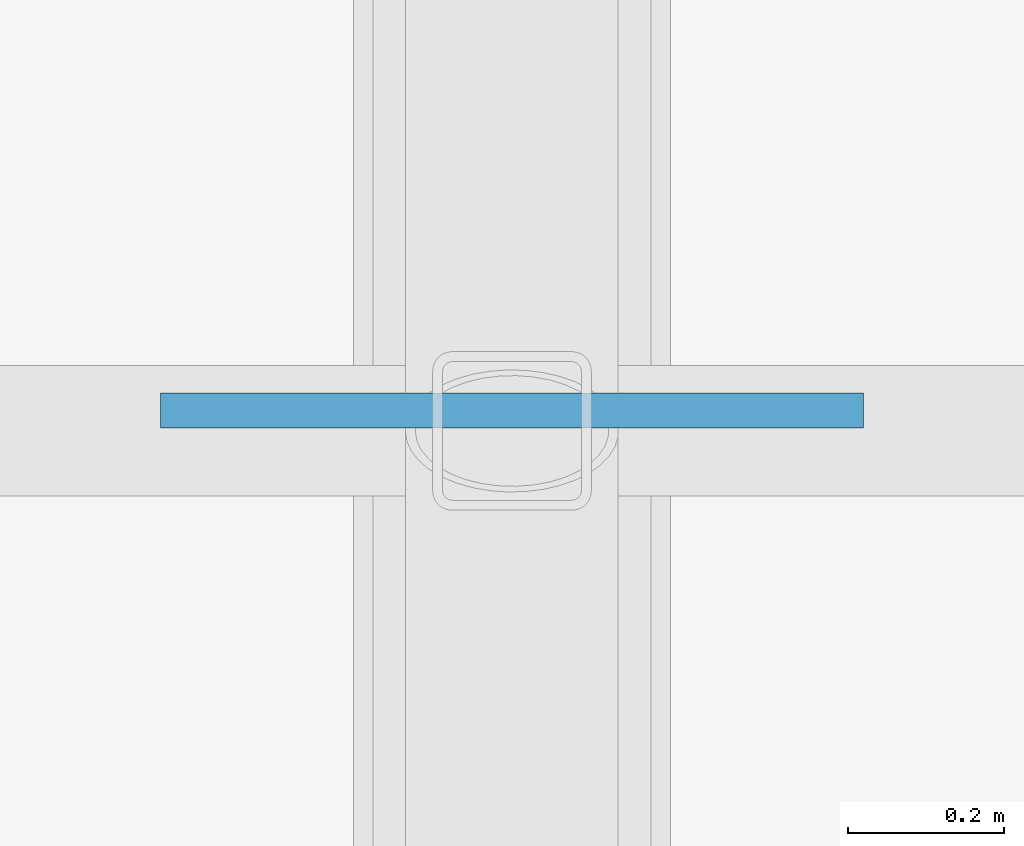
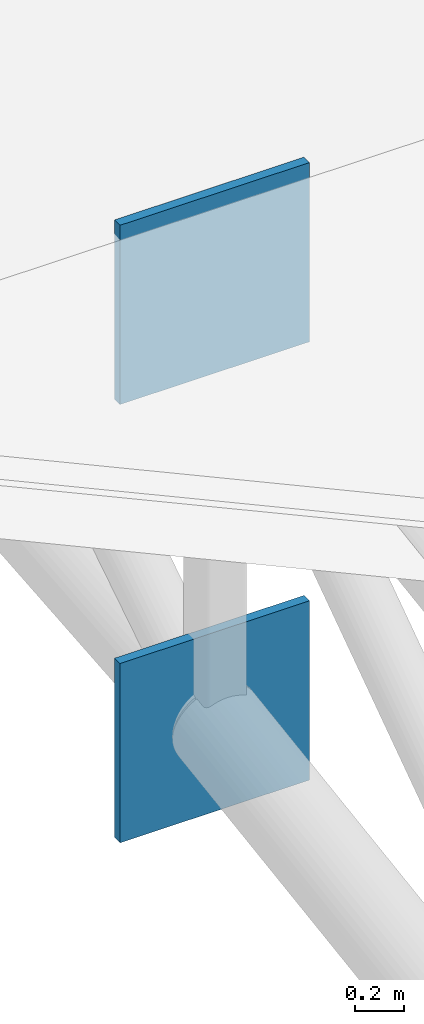
# One storey, part 73 of 98: 2 plates.
"""IFC4 building model written with IfcOpenShell, lengths in metres."""

import ifcopenshell
import ifcopenshell.guid

model = None  # the IFC model being written
_history = None  # IfcOwnerHistory: only IFC2X3 demands one
_inside = {}  # id of a spatial element -> (the spatial element, [elements in it])
_under = {}  # id of a project, library or spatial element -> (it, [spatial elements below it])
_declared = {}  # id of a project -> (the project, [libraries it declares])
_typed = {}  # id of a type object -> (the type object, [elements of that type])
_made_of = {}  # id of a material, layer set ... -> (it, [elements and type objects made of it])


def new_model(schema):
    """Start an empty IFC model of exactly this schema.

    Asked for "IFC4X3", IfcOpenShell would pick the latest addendum, in which some entities
    have other attributes; the version numbers below select the first issue.
    IFC2X3 requires an IfcOwnerHistory on every rooted entity: one is made here for all.
    """
    global model, _history
    if schema == "IFC4X3":
        model = ifcopenshell.file(schema_version=(4, 3, 0, 0))
    else:
        model = ifcopenshell.file(schema=schema)
    _inside.clear()
    _under.clear()
    _declared.clear()
    _typed.clear()
    _made_of.clear()
    _history = None
    if model.schema == "IFC2X3":
        org = make("IfcOrganization", Name="unknown")
        user = make(
            "IfcPersonAndOrganization",
            ThePerson=make("IfcPerson", FamilyName="unknown"),
            TheOrganization=org,
        )
        app = make(
            "IfcApplication",
            ApplicationDeveloper=org,
            Version="unknown",
            ApplicationFullName="unknown",
            ApplicationIdentifier="unknown",
        )
        _history = make(
            "IfcOwnerHistory",
            OwningUser=user,
            OwningApplication=app,
            ChangeAction="ADDED",
            CreationDate=0,
        )
    return model


def make(cls, **values):
    """One entity of the class cls with the attributes given. An attribute that is None is left unset."""
    return model.create_entity(
        cls, **{name: value for name, value in values.items() if value is not None}
    )


def rooted(cls, **values):
    """An entity with a GlobalId (a new one), such as an element, a storey or a relation."""
    return make(cls, GlobalId=ifcopenshell.guid.new(), OwnerHistory=_history, **values)


def si_unit(unit_type, name, prefix=None):
    """IfcSIUnit, for example si_unit("LENGTHUNIT", "METRE", prefix="MILLI")."""
    return make("IfcSIUnit", UnitType=unit_type, Prefix=prefix, Name=name)


def assignment(units):
    """IfcUnitAssignment: the units of a project."""
    return None if units is None else make("IfcUnitAssignment", Units=units)


def point(xyz):
    """IfcCartesianPoint."""
    return None if xyz is None else make("IfcCartesianPoint", Coordinates=xyz)


def direction(xyz):
    """IfcDirection."""
    return None if xyz is None else make("IfcDirection", DirectionRatios=xyz)


def frame(location, z_axis=None, x_axis=None):
    """IfcAxis2Placement3D, a coordinate frame: its origin and axes. An axis left out is left unset."""
    return make(
        "IfcAxis2Placement3D",
        Location=point(location),
        Axis=direction(z_axis),
        RefDirection=direction(x_axis),
    )


def frame_2d(location, x_axis=None):
    """IfcAxis2Placement2D, a coordinate frame in the plane: its origin and x axis."""
    return make(
        "IfcAxis2Placement2D", Location=point(location), RefDirection=direction(x_axis)
    )


def origin():
    """The frame at (0, 0, 0) with its axes left unset."""
    return frame((0.0, 0.0, 0.0))


def origin_2d():
    """The frame at (0, 0) in the plane with its x axis left unset."""
    return frame_2d((0.0, 0.0))


def place(relative_to, where):
    """IfcLocalPlacement: puts the frame where relative to a parent placement (None: the world)."""
    return make(
        "IfcLocalPlacement", PlacementRelTo=relative_to, RelativePlacement=where
    )


def context(
    kind, dimensions, precision=None, world=None, true_north=None, identifier=None
):
    """IfcGeometricRepresentationContext, for example the 3D "Model" context."""
    return make(
        "IfcGeometricRepresentationContext",
        ContextIdentifier=identifier,
        ContextType=kind,
        CoordinateSpaceDimension=dimensions,
        Precision=precision,
        WorldCoordinateSystem=world,
        TrueNorth=true_north,
    )


def subcontext(parent, identifier, kind, view, scale=None):
    """IfcGeometricRepresentationSubContext, for example "Body" below "Model"."""
    return make(
        "IfcGeometricRepresentationSubContext",
        ContextIdentifier=identifier,
        ContextType=kind,
        ParentContext=parent,
        TargetScale=scale,
        TargetView=view,
    )


def project(units=None, contexts=None):
    """IfcProject with its units and contexts."""
    return rooted(
        "IfcProject",
        Name="project",
        RepresentationContexts=contexts,
        UnitsInContext=assignment(units),
    )


def spatial(cls, under=None, at=None, **own):
    """A site, building, storey or space (cls), placed at a placement, below another one or the project."""
    s = rooted(cls, ObjectPlacement=at, **own)
    if under is not None:
        _under.setdefault(under.id(), (under, []))[1].append(s)
    return s


def profile(cls, at=None, kind="AREA", **sizes):
    """A parametric profile (cls). Its sizes go by their IFC names, for example OverallWidth=200.0."""
    return make(cls, ProfileType=kind, Position=at, **sizes)


def rectangle(**sizes):
    """IfcRectangleProfileDef."""
    return profile("IfcRectangleProfileDef", **sizes)


def extrude(swept, where, along, depth):
    """IfcExtrudedAreaSolid: the profile swept, set in the frame where, extruded along a direction by depth."""
    return make(
        "IfcExtrudedAreaSolid",
        SweptArea=swept,
        Position=where,
        ExtrudedDirection=direction(along),
        Depth=depth,
    )


def shape(context_of_items, identifier, shape_type, items):
    """IfcShapeRepresentation: the items that make up one representation, for example the "Body"."""
    return make(
        "IfcShapeRepresentation",
        ContextOfItems=context_of_items,
        RepresentationIdentifier=identifier,
        RepresentationType=shape_type,
        Items=items,
    )


def material(Name=None, Category=None):
    """IfcMaterial."""
    return make("IfcMaterial", Name=Name, Category=Category)


def layer(
    of_material, thickness, ventilated=None, Name=None, Category=None, Priority=None
):
    """IfcMaterialLayer: one layer of a wall or slab, of a material (None: an air gap)."""
    return make(
        "IfcMaterialLayer",
        Material=of_material,
        LayerThickness=thickness,
        IsVentilated=ventilated,
        Name=Name,
        Category=Category,
        Priority=Priority,
    )


def layer_set(layers, Name=None):
    """IfcMaterialLayerSet."""
    return make("IfcMaterialLayerSet", MaterialLayers=layers, LayerSetName=Name)


def made_of(thing, what):
    """Note that an element or type object is made of a material, layer set ...; save() writes the relation."""
    if what is not None:
        _made_of.setdefault(what.id(), (what, []))[1].append(thing)
    return thing


def type_object(cls, material=None, **own):
    """A type object (cls), such as IfcWallType, which elements share."""
    return made_of(rooted(cls, **own), material)


def element(
    cls,
    number,
    at=None,
    inside=None,
    cuts=None,
    type_object=None,
    material=None,
    context=None,
    identifier="Body",
    shape_type=None,
    held_by="IfcProductDefinitionShape",
    body=None,
    shapes=None,
    **own,
):
    """One element of the class cls, such as IfcWall. Its Tag is "e" and its number.

    at: its placement. inside: the storey or other place that contains it. cuts: it is an
    opening in that element (IfcRelVoidsElement). A single representation is given by context,
    identifier, shape_type and body (its items); several are given by shapes. held_by: the class
    of the entity that holds the representations. save() writes the other relations.
    """
    e = rooted(cls, Tag="e%d" % number, ObjectPlacement=at, **own)
    if body is not None:
        shapes = [shape(context, identifier, shape_type, body)]
    if shapes is not None:
        e.Representation = make(held_by, Representations=shapes)
    if inside is not None:
        _inside.setdefault(inside.id(), (inside, []))[1].append(e)
    if cuts is not None:
        rooted(
            "IfcRelVoidsElement", RelatingBuildingElement=cuts, RelatedOpeningElement=e
        )
    if type_object is not None:
        _typed.setdefault(type_object.id(), (type_object, []))[1].append(e)
    return made_of(e, material)


def aggregate(whole, parts):
    """IfcRelAggregates: a whole, such as a stair, and the parts it consists of."""
    return rooted("IfcRelAggregates", RelatingObject=whole, RelatedObjects=parts)


def save(model, path):
    """Write the relations noted so far, then the file.

    IfcRelAggregates (storeys below a building ...), IfcRelContainedInSpatialStructure (elements
    in a storey), IfcRelDefinesByType, IfcRelAssociatesMaterial and IfcRelDeclares: one each for
    every whole, place, type object, material and project.
    """
    for whole, parts in _under.values():
        aggregate(whole, parts)
    for where, things in _inside.values():
        rooted(
            "IfcRelContainedInSpatialStructure",
            RelatedElements=things,
            RelatingStructure=where,
        )
    for kind, things in _typed.values():
        rooted("IfcRelDefinesByType", RelatedObjects=things, RelatingType=kind)
    for what, things in _made_of.values():
        rooted("IfcRelAssociatesMaterial", RelatedObjects=things, RelatingMaterial=what)
    for by, libraries in _declared.values():
        rooted("IfcRelDeclares", RelatingContext=by, RelatedDefinitions=libraries)
    model.write(path)


model = new_model("IFC4")

# Units and contexts
model_context = context("Model", 3, precision=1e-05, world=origin(), true_north=direction((0.0, 1.0)))
body_context = subcontext(model_context, "Body", "Model", "MODEL_VIEW")
ifc_project = project(units=[si_unit("LENGTHUNIT", "METRE"), si_unit("AREAUNIT", "SQUARE_METRE"), si_unit("VOLUMEUNIT", "CUBIC_METRE"), si_unit("PLANEANGLEUNIT", "RADIAN"), si_unit("MASSUNIT", "GRAM", prefix="KILO")], contexts=[model_context])

# Site, building, storey
site_placement = place(None, origin())
site = spatial("IfcSite", under=ifc_project, at=site_placement, CompositionType="ELEMENT")
building_placement = place(site_placement, origin())
building = spatial("IfcBuilding", under=site, at=building_placement, Name="Tlacozan Convention Centre", CompositionType="ELEMENT")
storey_placement = place(building_placement, frame((0.0, 0.0, 25.800048828125)))
storey = spatial("IfcBuildingStorey", under=building, at=storey_placement, Name="Roof", CompositionType="ELEMENT", Elevation=25.800048828125)

# Plates
ifc_material = material(Name="Steel ASTM A572 Grade 50", Category="steel")
ifc_layer = layer(ifc_material, 0.044921875)
ifc_layer_set = layer_set([ifc_layer], Name="Steel ASTM A572 Grade 50")
plate_type = type_object("IfcPlateType", Name="Arch Springing Node Gusset Plate", PredefinedType="SHEET", material=ifc_layer_set)
for number, where, z_axis, x_axis, name in (
    (1, (80.0, 86.026123046875, -3.518310546875), (0.0, 0.0, 1.0), (0.0, 1.0, 0.0), "Roof Gusset Cap Plate 353"),
    (2, (80.0, 86.026123046875, -5.71826171875), (0.0, 0.0, 1.0), (0.0, 1.0, 0.0), "Roof Gusset Cap Plate 354"),
):
    element("IfcPlate", number, at=place(storey_placement, frame(where, z_axis=z_axis, x_axis=x_axis)), inside=storey, type_object=plate_type, Name=name, PredefinedType="SHEET", context=body_context, shape_type="SweptSolid", body=[
        extrude(rectangle(XDim=0.044921875, YDim=0.89990234375, at=origin_2d()), origin(), (0.0, 0.0, 1.0), 0.89990234375),
    ])

save(model, "model.ifc")
